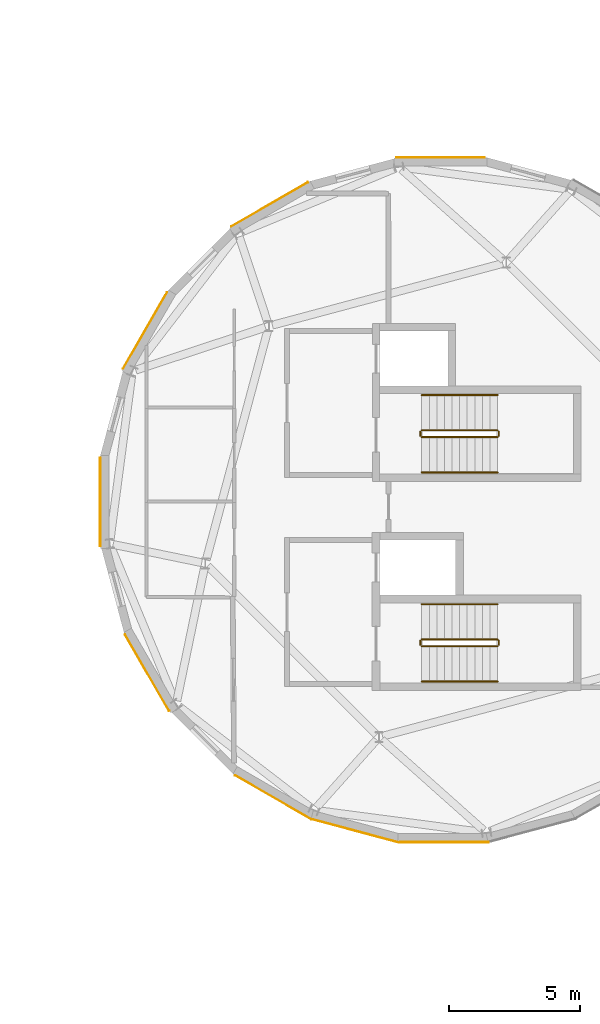
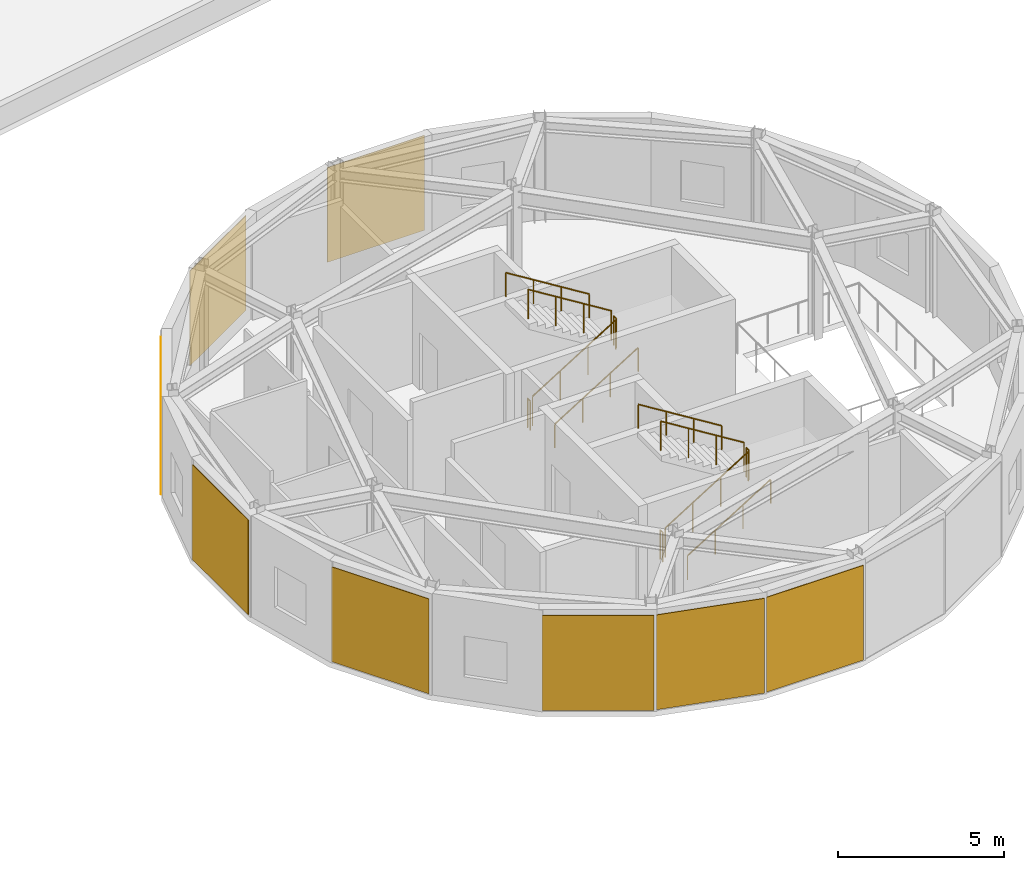
# One storey, part 10 of 11: 12 railings, 8 coverings.
"""IFC4 building model written with IfcOpenShell, lengths in metres."""

from ifc_helpers import new_model, si_unit, direction, frame, origin, origin_2d, place, context, subcontext, project, spatial, rectangle, circle, extrude, material, layer, layer_set, type_object, element, save


model = new_model("IFC4")

# Units and contexts
model_context = context("Model", 3, precision=1e-05, world=origin(), true_north=direction((0.0, 1.0)))
body_context = subcontext(model_context, "Body", "Model", "MODEL_VIEW")
ifc_project = project(units=[si_unit("LENGTHUNIT", "METRE"), si_unit("AREAUNIT", "SQUARE_METRE"), si_unit("VOLUMEUNIT", "CUBIC_METRE"), si_unit("PLANEANGLEUNIT", "RADIAN"), si_unit("MASSUNIT", "GRAM", prefix="KILO")], contexts=[model_context])

# Site, building, storey
site_placement = place(None, origin())
site = spatial("IfcSite", under=ifc_project, at=site_placement, CompositionType="ELEMENT")
building_placement = place(site_placement, origin())
building = spatial("IfcBuilding", under=site, at=building_placement, Name="Varnklinge Art Gallery", CompositionType="ELEMENT")
storey_placement = place(building_placement, frame((0.0, 0.0, 17.639892578125)))
storey = spatial("IfcBuildingStorey", under=building, at=storey_placement, Name="L04", CompositionType="ELEMENT", Elevation=17.639892578125)

# Coverings
ifc_material_1 = material(Name="Pre-weathered Zinc", Category="metal")
ifc_layer = layer(ifc_material_1, 0.02490234375)
ifc_layer_set = layer_set([ifc_layer], Name="Pre-weathered Zinc")
covering_type = type_object("IfcCoveringType", Name="CLD-ZNC", PredefinedType="CLADDING", material=ifc_layer_set)
covering_1_placement = place(storey_placement, frame((75.580078125, 25.400390625, 0.05029296875), z_axis=(0.0, 0.0, 1.0), x_axis=(-1.0, 0.0, 0.0)))
element("IfcCovering", 1, at=covering_1_placement, inside=storey, type_object=covering_type, Name="L04 Brushed Zinc Drum Cladding EW-V4D-L04-07", PredefinedType="CLADDING", context=body_context, shape_type="SweptSolid", body=[
    extrude(rectangle(XDim=3.383544921875, YDim=0.02490234375, at=origin_2d()), origin(), (0.0, 0.0, 1.0), 3.489990234375),
])
for number, where, z_axis, x_axis, name in (
    (2, (72.18701171875, 25.826171875, 0.05029296875), (0.0, 0.0, 1.0), (-0.965925826289, 0.258819045103, 0.0), "L04 Brushed Zinc Drum Cladding EW-V4D-L04-08"),
    (3, (69.01953125, 27.115478515625, 0.05029296875), (0.0, 0.0, 1.0), (-0.866025403784, 0.5, 0.0), "L04 Brushed Zinc Drum Cladding EW-V4D-L04-09"),
    (4, (64.1953125, 31.880859375, 0.05029296875), (0.0, 0.0, 1.0), (-0.5, 0.866025403784, 0.0), "L04 Brushed Zinc Drum Cladding EW-V4D-L04-11"),
):
    element("IfcCovering", number, at=place(storey_placement, frame(where, z_axis=z_axis, x_axis=x_axis)), inside=storey, type_object=covering_type, Name=name, PredefinedType="CLADDING", context=body_context, shape_type="SweptSolid", body=[
        extrude(rectangle(XDim=3.3837890625, YDim=0.02490234375, at=origin_2d()), origin(), (0.0, 0.0, 1.0), 3.489990234375),
    ])
covering_2_placement = place(storey_placement, frame((62.400390625, 38.419921875, 0.05029296875), z_axis=(0.0, 0.0, 1.0), x_axis=(0.0, 1.0, 0.0)))
element("IfcCovering", 5, at=covering_2_placement, inside=storey, type_object=covering_type, Name="L04 Brushed Zinc Drum Cladding EW-V4D-L04-13", PredefinedType="CLADDING", context=body_context, shape_type="SweptSolid", body=[
    extrude(rectangle(XDim=3.383544921875, YDim=0.02490234375, at=origin_2d()), origin(), (0.0, 0.0, 1.0), 3.489990234375),
])
for number, where, z_axis, x_axis, name in (
    (6, (64.115478515625, 44.98046875, 0.05029296875), (0.0, 0.0, 1.0), (0.5, 0.866025403784, 0.0), "L04 Brushed Zinc Drum Cladding EW-V4D-L04-15"),
    (7, (68.880859375, 49.8046875, 0.05029296875), (0.0, 0.0, 1.0), (0.866025403784, 0.5, 0.0), "L04 Brushed Zinc Drum Cladding EW-V4D-L04-17"),
):
    element("IfcCovering", number, at=place(storey_placement, frame(where, z_axis=z_axis, x_axis=x_axis)), inside=storey, type_object=covering_type, Name=name, PredefinedType="CLADDING", context=body_context, shape_type="SweptSolid", body=[
        extrude(rectangle(XDim=3.3837890625, YDim=0.02490234375, at=origin_2d()), origin(), (0.0, 0.0, 1.0), 3.489990234375),
    ])
covering_3_placement = place(storey_placement, frame((75.419921875, 51.599609375, 0.05029296875), z_axis=(0.0, 0.0, 1.0), x_axis=(1.0, 0.0, 0.0)))
element("IfcCovering", 8, at=covering_3_placement, inside=storey, type_object=covering_type, Name="L04 Brushed Zinc Drum Cladding EW-V4D-L04-19", PredefinedType="CLADDING", context=body_context, shape_type="SweptSolid", body=[
    extrude(rectangle(XDim=3.383544921875, YDim=0.02490234375, at=origin_2d()), origin(), (0.0, 0.0, 1.0), 3.489990234375),
])

# Railings
ifc_material_2 = material(Name="Steel S355", Category="steel")
railing_type_1 = type_object("IfcRailingType", Name="GR-INT", PredefinedType="GUARDRAIL", material=ifc_material_2)
railing_1_placement = place(storey_placement, frame((74.699951171875, 32.89990234375, 0.18017578125)))
element("IfcRailing", 9, at=railing_1_placement, inside=storey, type_object=railing_type_1, Name="L04 ST-01 stair guard 1", PredefinedType="GUARDRAIL", context=body_context, shape_type="SweptSolid", body=[
    extrude(circle(Radius=0.02392578125, at=origin_2d()), frame((0.0, 0.0, 1.076171875), z_axis=(0.849645691689, 0.0, 0.527353959494), x_axis=(0.0, 1.0, 0.0)), (0.0, 0.0, 1.0), 3.413330078125),
    extrude(circle(Radius=0.02099609375, at=origin_2d()), origin(), (0.0, 0.0, 1.0), 1.052001953125),
    extrude(circle(Radius=0.02099609375, at=origin_2d()), frame((0.966796875, 0.0, 0.60009765625)), (0.0, 0.0, 1.0), 1.052001953125),
    extrude(circle(Radius=0.02099609375, at=origin_2d()), frame((1.933349609375, 0.0, 1.199951171875)), (0.0, 0.0, 1.0), 1.052001953125),
    extrude(circle(Radius=0.02099609375, at=origin_2d()), frame((2.900146484375, 0.0, 1.800048828125)), (0.0, 0.0, 1.0), 1.052001953125),
])
railing_2_placement = place(storey_placement, frame((77.64990234375, 32.949951171875, 1.980224609375)))
element("IfcRailing", 10, at=railing_2_placement, inside=storey, type_object=railing_type_1, Name="L04 ST-01 stair guard 2", PredefinedType="GUARDRAIL", context=body_context, shape_type="SweptSolid", body=[
    extrude(circle(Radius=0.02392578125, at=origin_2d()), frame((0.0, 0.0, 1.076171875), z_axis=(0.0, 1.0, 0.0), x_axis=(-1.0, 0.0, 0.0)), (0.0, 0.0, 1.0), 0.16015625),
    extrude(circle(Radius=0.02099609375, at=origin_2d()), origin(), (0.0, 0.0, 1.0), 1.052001953125),
    extrude(circle(Radius=0.02099609375, at=origin_2d()), frame((0.0, 0.16015625, 0.0)), (0.0, 0.0, 1.0), 1.052001953125),
])
railing_3_placement = place(storey_placement, frame((77.60009765625, 33.159912109375, 2.16015625)))
element("IfcRailing", 11, at=railing_3_placement, inside=storey, type_object=railing_type_1, Name="L04 ST-01 stair guard 3", PredefinedType="GUARDRAIL", context=body_context, shape_type="SweptSolid", body=[
    extrude(circle(Radius=0.02392578125, at=origin_2d()), frame((0.0, 0.0, 1.076171875), z_axis=(-0.849645691689, 0.0, 0.527353959494), x_axis=(0.0, -1.0, 0.0)), (0.0, 0.0, 1.0), 3.413330078125),
    extrude(circle(Radius=0.02099609375, at=origin_2d()), origin(), (0.0, 0.0, 1.0), 1.052001953125),
    extrude(circle(Radius=0.02099609375, at=origin_2d()), frame((-0.966796875, 0.0, 0.60009765625)), (0.0, 0.0, 1.0), 1.052001953125),
    extrude(circle(Radius=0.02099609375, at=origin_2d()), frame((-1.933349609375, 0.0, 1.199951171875)), (0.0, 0.0, 1.0), 1.052001953125),
    extrude(circle(Radius=0.02099609375, at=origin_2d()), frame((-2.900146484375, 0.0, 1.800048828125)), (0.0, 0.0, 1.0), 1.052001953125),
])
railing_4_placement = place(storey_placement, frame((74.64990234375, 32.949951171875, 0.0)))
element("IfcRailing", 12, at=railing_4_placement, inside=storey, type_object=railing_type_1, Name="L04 ST-01 stair guard 4", PredefinedType="GUARDRAIL", context=body_context, shape_type="SweptSolid", body=[
    extrude(circle(Radius=0.02392578125, at=origin_2d()), frame((0.0, 0.0, 1.076171875), z_axis=(0.0, 1.0, 0.0), x_axis=(-1.0, 0.0, 0.0)), (0.0, 0.0, 1.0), 0.16015625),
    extrude(circle(Radius=0.02099609375, at=origin_2d()), origin(), (0.0, 0.0, 1.0), 1.052001953125),
    extrude(circle(Radius=0.02099609375, at=origin_2d()), frame((0.0, 0.16015625, 0.0)), (0.0, 0.0, 1.0), 1.052001953125),
])
railing_5_placement = place(storey_placement, frame((74.699951171875, 40.89990234375, 0.18017578125)))
element("IfcRailing", 13, at=railing_5_placement, inside=storey, type_object=railing_type_1, Name="L04 ST-02 stair guard 1", PredefinedType="GUARDRAIL", context=body_context, shape_type="SweptSolid", body=[
    extrude(circle(Radius=0.02392578125, at=origin_2d()), frame((0.0, 0.0, 1.076171875), z_axis=(0.849645691689, 0.0, 0.527353959494), x_axis=(0.0, 1.0, 0.0)), (0.0, 0.0, 1.0), 3.413330078125),
    extrude(circle(Radius=0.02099609375, at=origin_2d()), origin(), (0.0, 0.0, 1.0), 1.052001953125),
    extrude(circle(Radius=0.02099609375, at=origin_2d()), frame((0.966796875, 0.0, 0.60009765625)), (0.0, 0.0, 1.0), 1.052001953125),
    extrude(circle(Radius=0.02099609375, at=origin_2d()), frame((1.933349609375, 0.0, 1.199951171875)), (0.0, 0.0, 1.0), 1.052001953125),
    extrude(circle(Radius=0.02099609375, at=origin_2d()), frame((2.900146484375, 0.0, 1.800048828125)), (0.0, 0.0, 1.0), 1.052001953125),
])
railing_6_placement = place(storey_placement, frame((77.64990234375, 40.949951171875, 1.980224609375)))
element("IfcRailing", 14, at=railing_6_placement, inside=storey, type_object=railing_type_1, Name="L04 ST-02 stair guard 2", PredefinedType="GUARDRAIL", context=body_context, shape_type="SweptSolid", body=[
    extrude(circle(Radius=0.02392578125, at=origin_2d()), frame((0.0, 0.0, 1.076171875), z_axis=(0.0, 1.0, 0.0), x_axis=(-1.0, 0.0, 0.0)), (0.0, 0.0, 1.0), 0.16015625),
    extrude(circle(Radius=0.02099609375, at=origin_2d()), origin(), (0.0, 0.0, 1.0), 1.052001953125),
    extrude(circle(Radius=0.02099609375, at=origin_2d()), frame((0.0, 0.16015625, 0.0)), (0.0, 0.0, 1.0), 1.052001953125),
])
railing_7_placement = place(storey_placement, frame((77.60009765625, 41.159912109375, 2.16015625)))
element("IfcRailing", 15, at=railing_7_placement, inside=storey, type_object=railing_type_1, Name="L04 ST-02 stair guard 3", PredefinedType="GUARDRAIL", context=body_context, shape_type="SweptSolid", body=[
    extrude(circle(Radius=0.02392578125, at=origin_2d()), frame((0.0, 0.0, 1.076171875), z_axis=(-0.849645691689, 0.0, 0.527353959494), x_axis=(0.0, -1.0, 0.0)), (0.0, 0.0, 1.0), 3.413330078125),
    extrude(circle(Radius=0.02099609375, at=origin_2d()), origin(), (0.0, 0.0, 1.0), 1.052001953125),
    extrude(circle(Radius=0.02099609375, at=origin_2d()), frame((-0.966796875, 0.0, 0.60009765625)), (0.0, 0.0, 1.0), 1.052001953125),
    extrude(circle(Radius=0.02099609375, at=origin_2d()), frame((-1.933349609375, 0.0, 1.199951171875)), (0.0, 0.0, 1.0), 1.052001953125),
    extrude(circle(Radius=0.02099609375, at=origin_2d()), frame((-2.900146484375, 0.0, 1.800048828125)), (0.0, 0.0, 1.0), 1.052001953125),
])
railing_8_placement = place(storey_placement, frame((74.64990234375, 40.949951171875, 0.0)))
element("IfcRailing", 16, at=railing_8_placement, inside=storey, type_object=railing_type_1, Name="L04 ST-02 stair guard 4", PredefinedType="GUARDRAIL", context=body_context, shape_type="SweptSolid", body=[
    extrude(circle(Radius=0.02392578125, at=origin_2d()), frame((0.0, 0.0, 1.076171875), z_axis=(0.0, 1.0, 0.0), x_axis=(-1.0, 0.0, 0.0)), (0.0, 0.0, 1.0), 0.16015625),
    extrude(circle(Radius=0.02099609375, at=origin_2d()), origin(), (0.0, 0.0, 1.0), 1.052001953125),
    extrude(circle(Radius=0.02099609375, at=origin_2d()), frame((0.0, 0.16015625, 0.0)), (0.0, 0.0, 1.0), 1.052001953125),
])
ifc_material_3 = material(Name="Steel S355", Category="steel")
railing_type_2 = type_object("IfcRailingType", Name="HR-01", PredefinedType="HANDRAIL", material=ifc_material_3)
railing_9_placement = place(storey_placement, frame((74.699951171875, 31.550048828125, 0.18017578125)))
element("IfcRailing", 17, at=railing_9_placement, inside=storey, type_object=railing_type_2, Name="L04 ST-01 stair handrail 1", PredefinedType="HANDRAIL", context=body_context, shape_type="SweptSolid", body=[
    extrude(circle(Radius=0.02392578125, at=origin_2d()), frame((0.0, 0.0, 0.8759765625), z_axis=(0.849645691689, 0.0, 0.527353959494), x_axis=(0.0, 1.0, 0.0)), (0.0, 0.0, 1.0), 3.413330078125),
    extrude(circle(Radius=0.02099609375, at=origin_2d()), origin(), (0.0, 0.0, 1.0), 0.851806640625),
    extrude(circle(Radius=0.02099609375, at=origin_2d()), frame((0.966796875, 0.0, 0.60009765625)), (0.0, 0.0, 1.0), 0.851806640625),
    extrude(circle(Radius=0.02099609375, at=origin_2d()), frame((1.933349609375, 0.0, 1.199951171875)), (0.0, 0.0, 1.0), 0.851806640625),
    extrude(circle(Radius=0.02099609375, at=origin_2d()), frame((2.900146484375, 0.0, 1.800048828125)), (0.0, 0.0, 1.0), 0.851806640625),
])
railing_10_placement = place(storey_placement, frame((77.60009765625, 34.510009765625, 2.16015625)))
element("IfcRailing", 18, at=railing_10_placement, inside=storey, type_object=railing_type_2, Name="L04 ST-01 stair handrail 2", PredefinedType="HANDRAIL", context=body_context, shape_type="SweptSolid", body=[
    extrude(circle(Radius=0.02392578125, at=origin_2d()), frame((0.0, 0.0, 0.8759765625), z_axis=(-0.849645691689, 0.0, 0.527353959494), x_axis=(0.0, -1.0, 0.0)), (0.0, 0.0, 1.0), 3.413330078125),
    extrude(circle(Radius=0.02099609375, at=origin_2d()), origin(), (0.0, 0.0, 1.0), 0.851806640625),
    extrude(circle(Radius=0.02099609375, at=origin_2d()), frame((-0.966796875, 0.0, 0.60009765625)), (0.0, 0.0, 1.0), 0.851806640625),
    extrude(circle(Radius=0.02099609375, at=origin_2d()), frame((-1.933349609375, 0.0, 1.199951171875)), (0.0, 0.0, 1.0), 0.851806640625),
    extrude(circle(Radius=0.02099609375, at=origin_2d()), frame((-2.900146484375, 0.0, 1.800048828125)), (0.0, 0.0, 1.0), 0.851806640625),
])
railing_11_placement = place(storey_placement, frame((74.699951171875, 39.550048828125, 0.18017578125)))
element("IfcRailing", 19, at=railing_11_placement, inside=storey, type_object=railing_type_2, Name="L04 ST-02 stair handrail 1", PredefinedType="HANDRAIL", context=body_context, shape_type="SweptSolid", body=[
    extrude(circle(Radius=0.02392578125, at=origin_2d()), frame((0.0, 0.0, 0.8759765625), z_axis=(0.849645691689, 0.0, 0.527353959494), x_axis=(0.0, 1.0, 0.0)), (0.0, 0.0, 1.0), 3.413330078125),
    extrude(circle(Radius=0.02099609375, at=origin_2d()), origin(), (0.0, 0.0, 1.0), 0.851806640625),
    extrude(circle(Radius=0.02099609375, at=origin_2d()), frame((0.966796875, 0.0, 0.60009765625)), (0.0, 0.0, 1.0), 0.851806640625),
    extrude(circle(Radius=0.02099609375, at=origin_2d()), frame((1.933349609375, 0.0, 1.199951171875)), (0.0, 0.0, 1.0), 0.851806640625),
    extrude(circle(Radius=0.02099609375, at=origin_2d()), frame((2.900146484375, 0.0, 1.800048828125)), (0.0, 0.0, 1.0), 0.851806640625),
])
railing_12_placement = place(storey_placement, frame((77.60009765625, 42.510009765625, 2.16015625)))
element("IfcRailing", 20, at=railing_12_placement, inside=storey, type_object=railing_type_2, Name="L04 ST-02 stair handrail 2", PredefinedType="HANDRAIL", context=body_context, shape_type="SweptSolid", body=[
    extrude(circle(Radius=0.02392578125, at=origin_2d()), frame((0.0, 0.0, 0.8759765625), z_axis=(-0.849645691689, 0.0, 0.527353959494), x_axis=(0.0, -1.0, 0.0)), (0.0, 0.0, 1.0), 3.413330078125),
    extrude(circle(Radius=0.02099609375, at=origin_2d()), origin(), (0.0, 0.0, 1.0), 0.851806640625),
    extrude(circle(Radius=0.02099609375, at=origin_2d()), frame((-0.966796875, 0.0, 0.60009765625)), (0.0, 0.0, 1.0), 0.851806640625),
    extrude(circle(Radius=0.02099609375, at=origin_2d()), frame((-1.933349609375, 0.0, 1.199951171875)), (0.0, 0.0, 1.0), 0.851806640625),
    extrude(circle(Radius=0.02099609375, at=origin_2d()), frame((-2.900146484375, 0.0, 1.800048828125)), (0.0, 0.0, 1.0), 0.851806640625),
])

save(model, "model.ifc")
